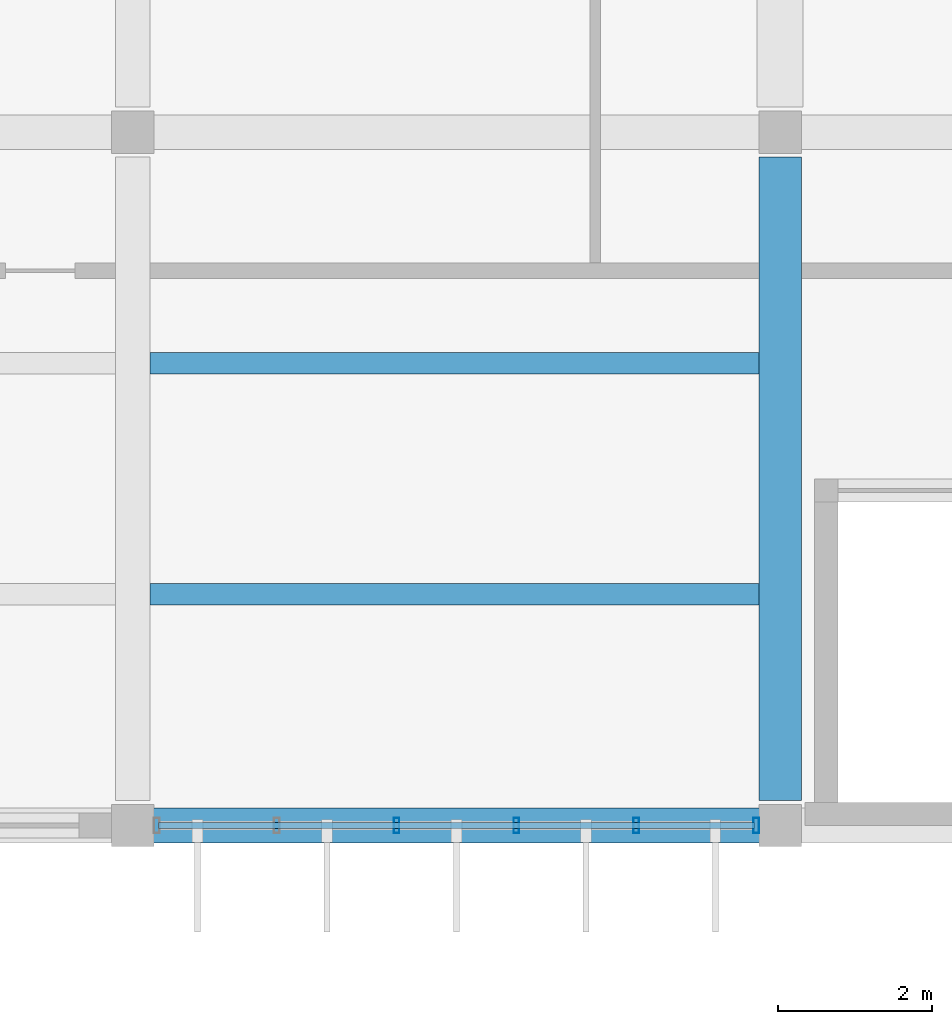
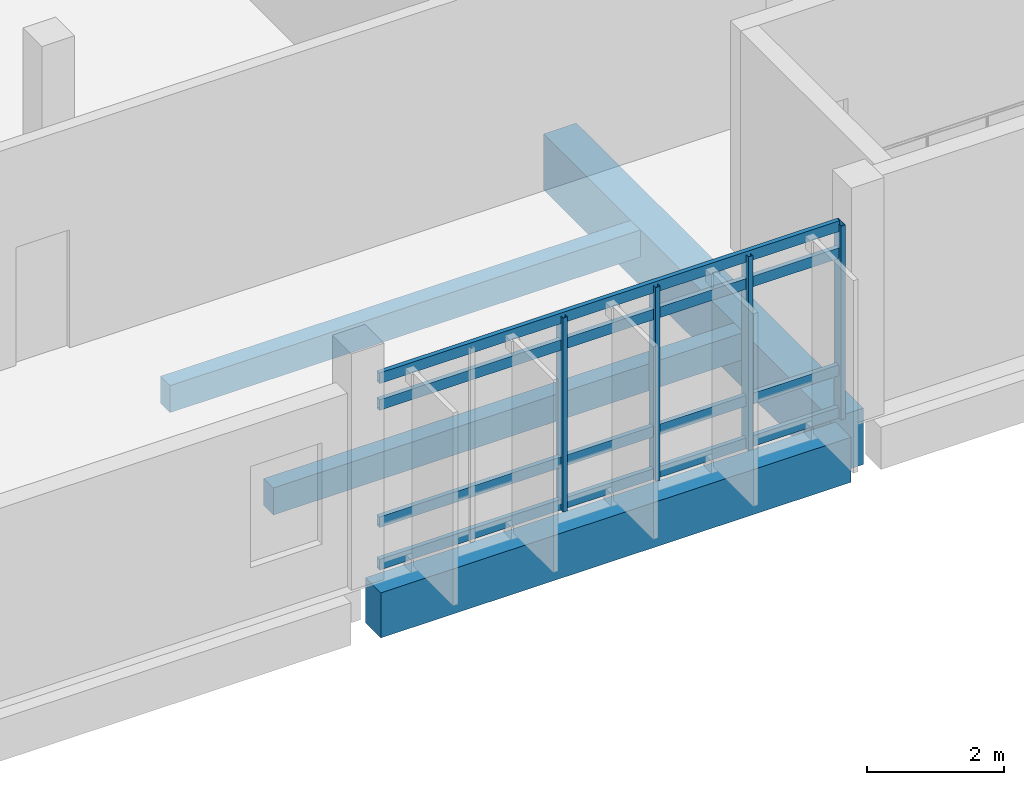
# One storey, part 31 of 130: 8 members, 4 beams, 1 element without a shape of its own.
"""IFC4 building model written with IfcOpenShell, lengths in metres."""

from ifc_helpers import new_model, si_unit, direction, frame, origin, origin_2d, place, context, subcontext, project, spatial, rectangle, hollow_rectangle, extrude, material, layer, layer_set, material_profile, profile_set, type_object, element, aggregate, save


model = new_model("IFC4")

# Units and contexts
model_context = context("Model", 3, precision=1e-05, world=origin(), true_north=direction((0.0, 1.0)))
body_context = subcontext(model_context, "Body", "Model", "MODEL_VIEW")
ifc_project = project(units=[si_unit("LENGTHUNIT", "METRE"), si_unit("AREAUNIT", "SQUARE_METRE"), si_unit("VOLUMEUNIT", "CUBIC_METRE"), si_unit("PLANEANGLEUNIT", "RADIAN"), si_unit("MASSUNIT", "GRAM", prefix="KILO")], contexts=[model_context])

# Site, building, storey
site_placement = place(None, origin())
site = spatial("IfcSite", under=ifc_project, at=site_placement, CompositionType="ELEMENT")
building_placement = place(site_placement, origin())
building = spatial("IfcBuilding", under=site, at=building_placement, Name="Vireocrest Preparatory School", CompositionType="ELEMENT")
storey_placement = place(building_placement, frame((0.0, 0.0, 9.0)))
storey = spatial("IfcBuildingStorey", under=building, at=storey_placement, Name="L02", CompositionType="ELEMENT", Elevation=9.0)

# Curtain wall, members
ifc_material_1 = material(Name="Thermally broken aluminium EN AW-6063-T6", Category="aluminium")
ifc_layer = layer(ifc_material_1, 0.179931640625)
ifc_layer_set = layer_set([ifc_layer], Name="Thermally broken aluminium EN AW-6063-T6")
curtain_wall_type = type_object("IfcCurtainWallType", Name="Botanical Lab Glazing 8400x3400", PredefinedType="USERDEFINED", material=ifc_layer_set)
curtain_wall_placement = place(storey_placement, origin())
curtain_wall = element("IfcCurtainWall", 1, at=curtain_wall_placement, inside=storey, type_object=curtain_wall_type, Name="Curtain Wall CW15 CW_L02_CW15_1178_0180_090", ObjectType="CURTAIN WALL", PredefinedType="USERDEFINED")
ifc_material_profile_1 = material_profile(ifc_material_1, hollow_rectangle(XDim=0.074951171875, YDim=0.199951171875, WallThickness=0.0048828125, at=origin_2d()), Name="ALU 75x200x5")
ifc_profile_set_1 = profile_set([ifc_material_profile_1], Name="Thermally broken aluminium EN AW-6063-T6")
member_type_1 = type_object("IfcMemberType", Name="CW Mullion 75x200x5", PredefinedType="MULLION", material=ifc_profile_set_1)
member_1_placement = place(storey_placement, frame((121.02197265625, 18.0, 0.0), z_axis=(0.0, 0.0, 1.0), x_axis=(1.0, 0.0, 0.0)))
member_1 = element("IfcMember", 2, at=member_1_placement, type_object=member_type_1, Name="CW Mullion ML3 CW_L02_CW15_1178_0180_090-3", PredefinedType="MULLION", context=body_context, shape_type="SweptSolid", body=[
    extrude(hollow_rectangle(XDim=0.074951171875, YDim=0.199951171875, WallThickness=0.0048828125, at=origin_2d()), origin(), (0.0, 0.0, 1.0), 3.445068359375),
])
member_2_placement = place(storey_placement, frame((122.577880859375, 18.0, 0.0), z_axis=(0.0, 0.0, 1.0), x_axis=(1.0, 0.0, 0.0)))
member_2 = element("IfcMember", 3, at=member_2_placement, type_object=member_type_1, Name="CW Mullion ML3 CW_L02_CW15_1178_0180_090-4", PredefinedType="MULLION", context=body_context, shape_type="SweptSolid", body=[
    extrude(hollow_rectangle(XDim=0.074951171875, YDim=0.199951171875, WallThickness=0.0048828125, at=origin_2d()), origin(), (0.0, 0.0, 1.0), 3.445068359375),
])
member_3_placement = place(storey_placement, frame((124.134033203125, 18.0, 0.0), z_axis=(0.0, 0.0, 1.0), x_axis=(1.0, 0.0, 0.0)))
member_3 = element("IfcMember", 4, at=member_3_placement, type_object=member_type_1, Name="CW Mullion ML3 CW_L02_CW15_1178_0180_090-5", PredefinedType="MULLION", context=body_context, shape_type="SweptSolid", body=[
    extrude(hollow_rectangle(XDim=0.074951171875, YDim=0.199951171875, WallThickness=0.0048828125, at=origin_2d()), origin(), (0.0, 0.0, 1.0), 3.445068359375),
])
member_4_placement = place(storey_placement, frame((125.68994140625, 18.0, 0.0), z_axis=(0.0, 0.0, 1.0), x_axis=(1.0, 0.0, 0.0)))
member_4 = element("IfcMember", 5, at=member_4_placement, type_object=member_type_1, Name="CW Mullion ML3 CW_L02_CW15_1178_0180_090-6", PredefinedType="MULLION", context=body_context, shape_type="SweptSolid", body=[
    extrude(hollow_rectangle(XDim=0.074951171875, YDim=0.199951171875, WallThickness=0.0048828125, at=origin_2d()), origin(), (0.0, 0.0, 1.0), 3.445068359375),
])
ifc_material_profile_2 = material_profile(ifc_material_1, hollow_rectangle(XDim=0.074951171875, YDim=0.18994140625, WallThickness=0.00390625, at=origin_2d()), Name="ALU 75x190x4")
ifc_profile_set_2 = profile_set([ifc_material_profile_2], Name="Thermally broken aluminium EN AW-6063-T6")
member_type_2 = type_object("IfcMemberType", Name="CW Transom 75x190x4", PredefinedType="USERDEFINED", material=ifc_profile_set_2)
member_5_placement = place(storey_placement, frame((117.93505859375, 18.0, 0.094970703125), z_axis=(1.0, 0.0, 0.0), x_axis=(0.0, 1.0, 0.0)))
member_5 = element("IfcMember", 6, at=member_5_placement, type_object=member_type_2, Name="CW Transom TR3 CW_L02_CW15_1178_0180_090-1", ObjectType="TRANSOM", PredefinedType="USERDEFINED", context=body_context, shape_type="SweptSolid", body=[
    extrude(hollow_rectangle(XDim=0.074951171875, YDim=0.18994140625, WallThickness=0.00390625, at=origin_2d()), origin(), (0.0, 0.0, 1.0), 7.72998046875),
])
member_6_placement = place(storey_placement, frame((117.93505859375, 18.0, 0.85009765625), z_axis=(1.0, 0.0, 0.0), x_axis=(0.0, 1.0, 0.0)))
member_6 = element("IfcMember", 7, at=member_6_placement, type_object=member_type_2, Name="CW Transom TR3 CW_L02_CW15_1178_0180_090-2", ObjectType="TRANSOM", PredefinedType="USERDEFINED", context=body_context, shape_type="SweptSolid", body=[
    extrude(hollow_rectangle(XDim=0.074951171875, YDim=0.18994140625, WallThickness=0.00390625, at=origin_2d()), origin(), (0.0, 0.0, 1.0), 7.72998046875),
])
member_7_placement = place(storey_placement, frame((117.93505859375, 18.0, 2.929931640625), z_axis=(1.0, 0.0, 0.0), x_axis=(0.0, 1.0, 0.0)))
member_7 = element("IfcMember", 8, at=member_7_placement, type_object=member_type_2, Name="CW Transom TR3 CW_L02_CW15_1178_0180_090-3", ObjectType="TRANSOM", PredefinedType="USERDEFINED", context=body_context, shape_type="SweptSolid", body=[
    extrude(hollow_rectangle(XDim=0.074951171875, YDim=0.18994140625, WallThickness=0.00390625, at=origin_2d()), origin(), (0.0, 0.0, 1.0), 7.72998046875),
])
member_8_placement = place(storey_placement, frame((117.93505859375, 18.0, 3.405029296875), z_axis=(1.0, 0.0, 0.0), x_axis=(0.0, 1.0, 0.0)))
member_8 = element("IfcMember", 9, at=member_8_placement, type_object=member_type_2, Name="CW Transom TR3 CW_L02_CW15_1178_0180_090-4", ObjectType="TRANSOM", PredefinedType="USERDEFINED", context=body_context, shape_type="SweptSolid", body=[
    extrude(hollow_rectangle(XDim=0.074951171875, YDim=0.18994140625, WallThickness=0.00390625, at=origin_2d()), origin(), (0.0, 0.0, 1.0), 7.72998046875),
])
aggregate(curtain_wall, [member_1, member_2, member_3, member_4, member_5, member_6, member_7, member_8])

# Beams
ifc_material_2 = material(Name="Concrete 40 MPa", Category="concrete")
ifc_material_profile_3 = material_profile(ifc_material_2, rectangle(XDim=0.550048828125, YDim=1.0, at=origin_2d()), Name="RC 550x1000")
ifc_profile_set_3 = profile_set([ifc_material_profile_3], Name="Concrete 40 MPa")
beam_type_1 = type_object("IfcBeamType", Name="RC Core Coupling Beam 550x1000", PredefinedType="BEAM", material=ifc_profile_set_3)
beam_1_placement = place(storey_placement, frame((126.0, 18.324951171875, -0.760009765625), z_axis=(0.0, 1.0, 0.0), x_axis=(-1.0, 0.0, 0.0)))
element("IfcBeam", 10, at=beam_1_placement, inside=storey, type_object=beam_type_1, Name="Primary Girder B18 L02-0875", PredefinedType="BEAM", context=body_context, shape_type="SweptSolid", body=[
    extrude(rectangle(XDim=0.550048828125, YDim=1.0, at=origin_2d()), origin(), (0.0, 0.0, 1.0), 8.35009765625),
])
ifc_material_profile_4 = material_profile(ifc_material_2, rectangle(XDim=0.449951171875, YDim=0.800048828125, at=origin_2d()), Name="RC 450x800")
ifc_profile_set_4 = profile_set([ifc_material_profile_4], Name="Concrete 40 MPa")
beam_type_2 = type_object("IfcBeamType", Name="RC Library Stack Girder 450x800", PredefinedType="BEAM", material=ifc_profile_set_4)
beam_2_placement = place(storey_placement, frame((117.85009765625, 18.0, -0.659912109375), z_axis=(1.0, 0.0, 0.0), x_axis=(0.0, 1.0, 0.0)))
element("IfcBeam", 11, at=beam_2_placement, inside=storey, type_object=beam_type_2, Name="Primary Girder B12 L02-0686", PredefinedType="BEAM", context=body_context, shape_type="SweptSolid", body=[
    extrude(rectangle(XDim=0.449951171875, YDim=0.800048828125, at=origin_2d()), origin(), (0.0, 0.0, 1.0), 7.89990234375),
])
ifc_material_profile_5 = material_profile(ifc_material_2, rectangle(XDim=0.280029296875, YDim=0.47998046875, at=origin_2d()), Name="RC 280x480")
ifc_profile_set_5 = profile_set([ifc_material_profile_5], Name="Concrete 40 MPa")
beam_type_3 = type_object("IfcBeamType", Name="RC Secondary Lab Joist 280x480", PredefinedType="JOIST", material=ifc_profile_set_5)
for number, where, z_axis, x_axis, name in (
    (12, (117.824951171875, 21.0, -0.5), (1.0, 0.0, 0.0), (0.0, 1.0, 0.0), "Secondary Joist J02 L02-1016"),
    (13, (117.824951171875, 24.0, -0.5), (1.0, 0.0, 0.0), (0.0, 1.0, 0.0), "Secondary Joist J02 L02-1017"),
):
    element("IfcBeam", number, at=place(storey_placement, frame(where, z_axis=z_axis, x_axis=x_axis)), inside=storey, type_object=beam_type_3, Name=name, PredefinedType="JOIST", context=body_context, shape_type="SweptSolid", body=[
        extrude(rectangle(XDim=0.280029296875, YDim=0.47998046875, at=origin_2d()), origin(), (0.0, 0.0, 1.0), 7.900146484375),
    ])

save(model, "model.ifc")
